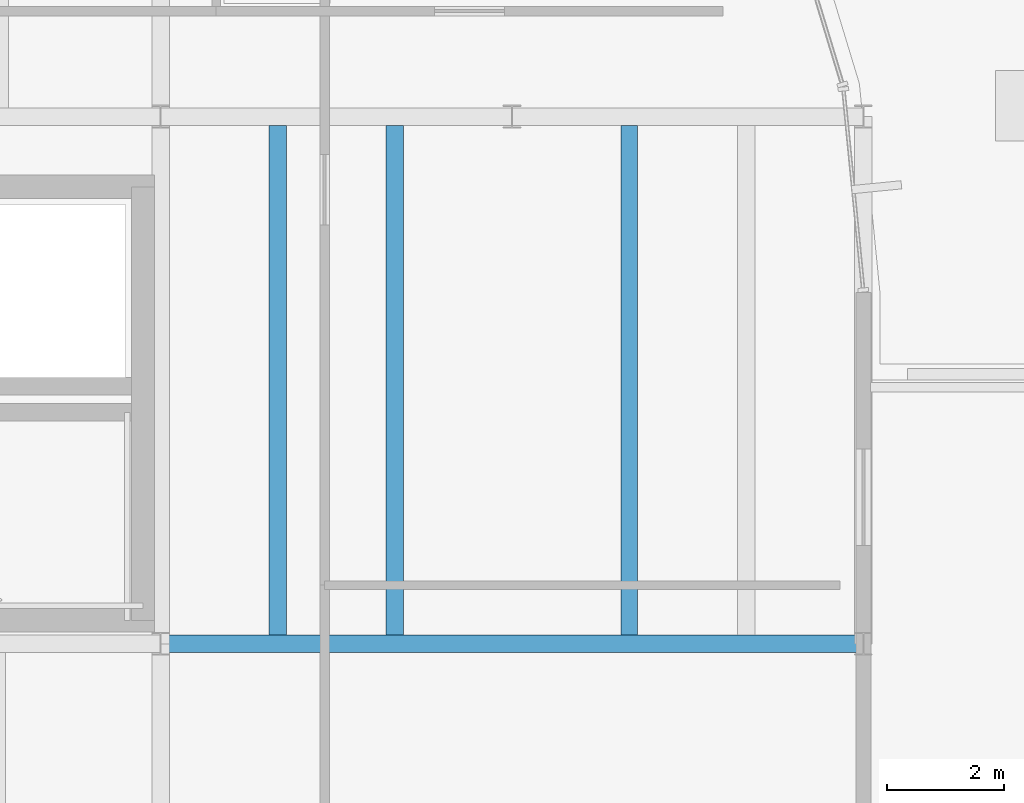
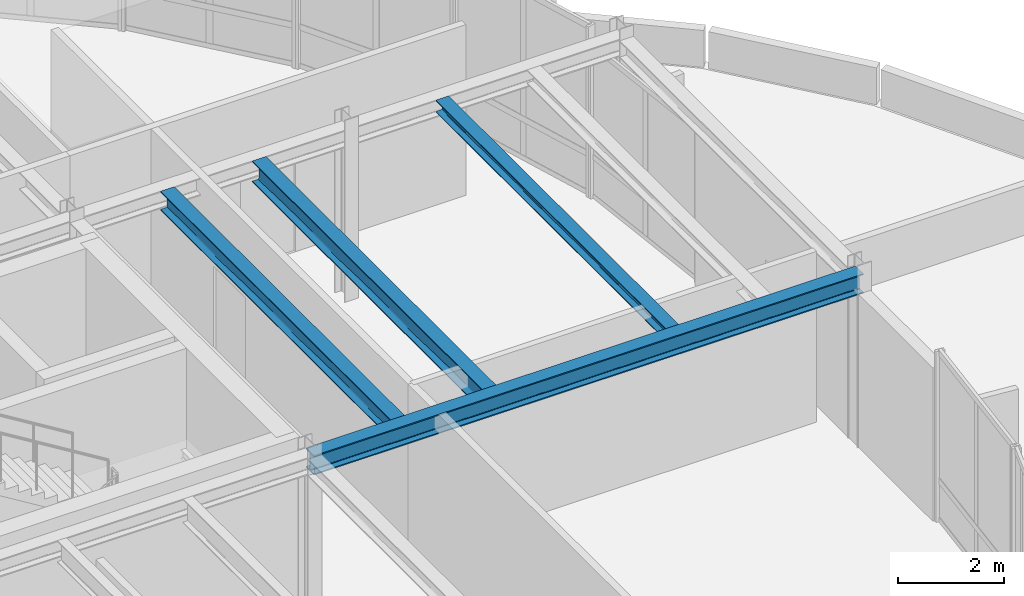
# One storey, part 10 of 29: 4 beams.
"""IFC4 building model written with IfcOpenShell, lengths in metres."""

from ifc_helpers import new_model, si_unit, direction, frame, origin, origin_2d, place, context, subcontext, project, spatial, i_section, extrude, material, material_profile, profile_set, type_object, element, save


model = new_model("IFC4")

# Units and contexts
model_context = context("Model", 3, precision=1e-05, world=origin(), true_north=direction((0.0, 1.0)))
body_context = subcontext(model_context, "Body", "Model", "MODEL_VIEW")
ifc_project = project(units=[si_unit("LENGTHUNIT", "METRE"), si_unit("AREAUNIT", "SQUARE_METRE"), si_unit("VOLUMEUNIT", "CUBIC_METRE"), si_unit("PLANEANGLEUNIT", "RADIAN"), si_unit("MASSUNIT", "GRAM", prefix="KILO")], contexts=[model_context])

# Site, building, storey
site_placement = place(None, origin())
site = spatial("IfcSite", under=ifc_project, at=site_placement, CompositionType="ELEMENT")
building_placement = place(site_placement, origin())
building = spatial("IfcBuilding", under=site, at=building_placement, Name="Montealbar Specialist Clinic", CompositionType="ELEMENT")
storey_placement = place(building_placement, frame((0.0, 0.0, 22.199951171875)))
storey = spatial("IfcBuildingStorey", under=building, at=storey_placement, Name="L05", CompositionType="ELEMENT", Elevation=22.199951171875)

# Beams
ifc_material = material(Name="Steel S355", Category="steel")
ifc_material_profile_1 = material_profile(ifc_material, i_section(OverallWidth=0.300048828125, OverallDepth=0.449951171875, WebThickness=0.013916015625, FlangeThickness=0.02587890625, FilletRadius=0.027099609375, at=origin_2d()), Name="HEB 450", Category="steel")
ifc_profile_set_1 = profile_set([ifc_material_profile_1], Name="Steel S355")
beam_type_1 = type_object("IfcBeamType", Name="BM-GIRD-HEB450", PredefinedType="BEAM", material=ifc_profile_set_1)
beam_1_placement = place(storey_placement, frame((99.0, 27.0, 3.715087890625), z_axis=(1.0, 0.0, 0.0), x_axis=(0.0, 1.0, 0.0)))
element("IfcBeam", 1, at=beam_1_placement, inside=storey, type_object=beam_type_1, Name="Beam GX-L05-990-1110-270", PredefinedType="BEAM", context=body_context, shape_type="SweptSolid", body=[
    extrude(i_section(OverallWidth=0.300048828125, OverallDepth=0.449951171875, WebThickness=0.013916015625, FlangeThickness=0.02587890625, FilletRadius=0.027099609375, at=origin_2d()), origin(), (0.0, 0.0, 1.0), 12.0),
])
ifc_material_profile_2 = material_profile(ifc_material, i_section(OverallWidth=0.300048828125, OverallDepth=0.43994140625, WebThickness=0.011474609375, FlangeThickness=0.02099609375, FilletRadius=0.027099609375, at=origin_2d()), Name="HEA 450", Category="steel")
ifc_profile_set_2 = profile_set([ifc_material_profile_2], Name="Steel S355")
beam_type_2 = type_object("IfcBeamType", Name="BM-JST-HEA450", PredefinedType="JOIST", material=ifc_profile_set_2)
beam_2_placement = place(storey_placement, frame((101.0, 27.14990234375, 3.719970703125), z_axis=(0.0, 1.0, 0.0), x_axis=(-1.0, 0.0, 0.0)))
element("IfcBeam", 2, at=beam_2_placement, inside=storey, type_object=beam_type_2, Name="Beam JST-L05-1010-272-358", PredefinedType="JOIST", context=body_context, shape_type="SweptSolid", body=[
    extrude(i_section(OverallWidth=0.300048828125, OverallDepth=0.43994140625, WebThickness=0.011474609375, FlangeThickness=0.02099609375, FilletRadius=0.027099609375, at=origin_2d()), origin(), (0.0, 0.0, 1.0), 8.7001953125),
])
ifc_material_profile_3 = material_profile(ifc_material, i_section(OverallWidth=0.300048828125, OverallDepth=0.489990234375, WebThickness=0.011962890625, FlangeThickness=0.02294921875, FilletRadius=0.027099609375, at=origin_2d()), Name="HEA 500", Category="steel")
ifc_profile_set_3 = profile_set([ifc_material_profile_3], Name="Steel S355")
beam_type_3 = type_object("IfcBeamType", Name="BM-JST-HEA500", PredefinedType="JOIST", material=ifc_profile_set_3)
beam_3_placement = place(storey_placement, frame((103.0, 27.14990234375, 3.695068359375), z_axis=(0.0, 1.0, 0.0), x_axis=(-1.0, 0.0, 0.0)))
element("IfcBeam", 3, at=beam_3_placement, inside=storey, type_object=beam_type_3, Name="Beam JST-L05-1030-272-358", PredefinedType="JOIST", context=body_context, shape_type="SweptSolid", body=[
    extrude(i_section(OverallWidth=0.300048828125, OverallDepth=0.489990234375, WebThickness=0.011962890625, FlangeThickness=0.02294921875, FilletRadius=0.027099609375, at=origin_2d()), origin(), (0.0, 0.0, 1.0), 8.7001953125),
])
ifc_material_profile_4 = material_profile(ifc_material, i_section(OverallWidth=0.280029296875, OverallDepth=0.280029296875, WebThickness=0.010498046875, FlangeThickness=0.01806640625, FilletRadius=0.02392578125, at=origin_2d()), Name="HEB 280", Category="steel")
ifc_profile_set_4 = profile_set([ifc_material_profile_4], Name="Steel S355")
beam_type_4 = type_object("IfcBeamType", Name="BM-JST-HEB280", PredefinedType="JOIST", material=ifc_profile_set_4)
beam_4_placement = place(storey_placement, frame((107.0, 27.14990234375, 3.800048828125), z_axis=(0.0, 1.0, 0.0), x_axis=(-1.0, 0.0, 0.0)))
element("IfcBeam", 4, at=beam_4_placement, inside=storey, type_object=beam_type_4, Name="Beam JST-L05-1070-272-358", PredefinedType="JOIST", context=body_context, shape_type="SweptSolid", body=[
    extrude(i_section(OverallWidth=0.280029296875, OverallDepth=0.280029296875, WebThickness=0.010498046875, FlangeThickness=0.01806640625, FilletRadius=0.02392578125, at=origin_2d()), origin(), (0.0, 0.0, 1.0), 8.7001953125),
])

save(model, "model.ifc")
